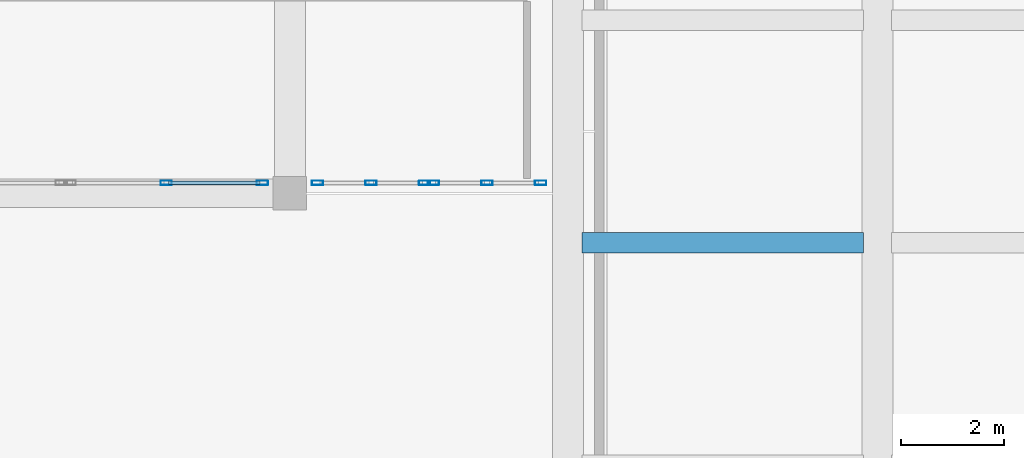
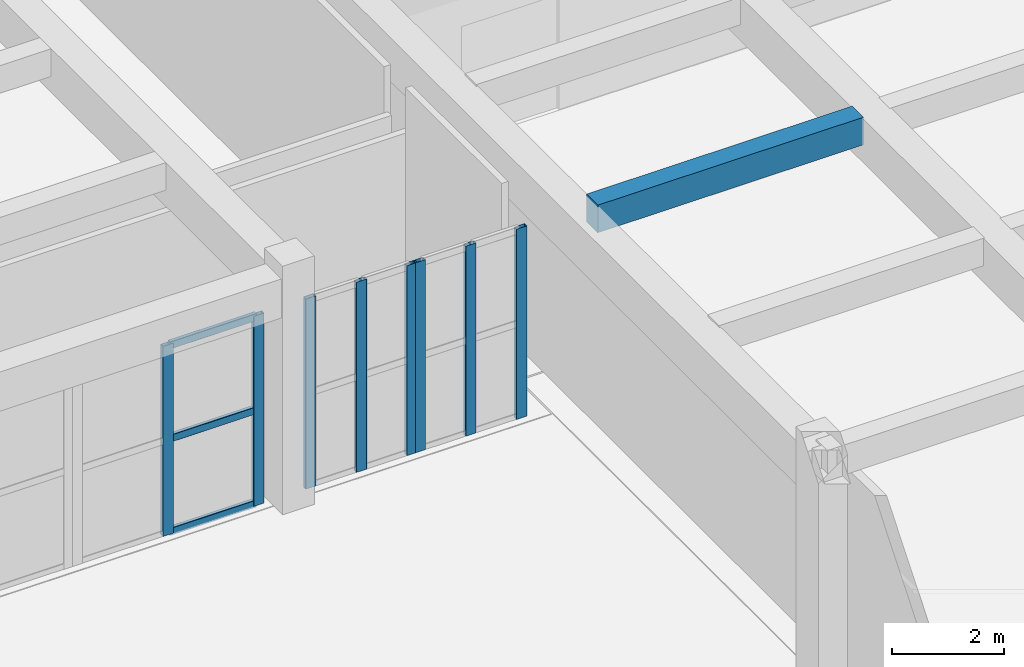
# One storey, part 29 of 98: 11 members, 1 beam, 3 elements without a shape of their own.
"""IFC4 building model written with IfcOpenShell, lengths in metres."""

from ifc_helpers import new_model, si_unit, direction, frame, origin, origin_2d, place, context, subcontext, project, spatial, rectangle, hollow_rectangle, extrude, material, layer, layer_set, material_profile, profile_set, type_object, element, aggregate, save


model = new_model("IFC4")

# Units and contexts
model_context = context("Model", 3, precision=1e-05, world=origin(), true_north=direction((0.0, 1.0)))
body_context = subcontext(model_context, "Body", "Model", "MODEL_VIEW")
ifc_project = project(units=[si_unit("LENGTHUNIT", "METRE"), si_unit("AREAUNIT", "SQUARE_METRE"), si_unit("VOLUMEUNIT", "CUBIC_METRE"), si_unit("PLANEANGLEUNIT", "RADIAN"), si_unit("MASSUNIT", "GRAM", prefix="KILO")], contexts=[model_context])

# Site, building, storey
site_placement = place(None, origin())
site = spatial("IfcSite", under=ifc_project, at=site_placement, CompositionType="ELEMENT")
building_placement = place(site_placement, origin())
building = spatial("IfcBuilding", under=site, at=building_placement, Name="Tarnavel Promenade Courthouse", CompositionType="ELEMENT")
storey_placement = place(building_placement, origin())
storey = spatial("IfcBuildingStorey", under=building, at=storey_placement, Name="L01", CompositionType="ELEMENT", Elevation=0.0)

# Beam
ifc_material_1 = material(Name="Concrete C40/50", Category="concrete")
ifc_material_profile_1 = material_profile(ifc_material_1, rectangle(XDim=0.39990234375, YDim=0.60009765625, at=origin_2d()), Name="PT 400x600")
ifc_profile_set_1 = profile_set([ifc_material_profile_1], Name="Concrete C40/50")
beam_type = type_object("IfcBeamType", Name="Concrete C40/50 BM-PT-400x600 (PT 400x600)", PredefinedType="JOIST", material=ifc_profile_set_1)
beam_placement = place(storey_placement, frame((120.27001953125, 45.840087890625, 4.8349609375), z_axis=(1.0, 0.0, 0.0), x_axis=(0.0, 1.0, 0.0)))
element("IfcBeam", 1, at=beam_placement, inside=storey, type_object=beam_type, Name="L01 Secondary Floor Rib 1019", PredefinedType="JOIST", context=body_context, shape_type="SweptSolid", body=[
    extrude(rectangle(XDim=0.39990234375, YDim=0.60009765625, at=origin_2d()), origin(), (0.0, 0.0, 1.0), 5.4599609375),
])

# Curtain wall, members
ifc_material_2 = material(Name="Thermally Broken Anodised Aluminium Curtain Wall System", Category="aluminium")
ifc_layer = layer(ifc_material_2, 0.239990234375)
ifc_layer_set = layer_set([ifc_layer], Name="Thermally Broken Anodised Aluminium Curtain Wall System")
curtain_wall_type = type_object("IfcCurtainWallType", Name="Thermally Broken Aluminium Triple-Glazed Curtain Wall CW-WG-S", PredefinedType="NOTDEFINED", material=ifc_layer_set)
curtain_wall_1_placement = place(storey_placement, origin())
curtain_wall_1 = element("IfcCurtainWall", 2, at=curtain_wall_1_placement, inside=storey, type_object=curtain_wall_type, Name="L01 Winter-Garden South Solar Curtain Wall 059", PredefinedType="NOTDEFINED")
ifc_material_3 = material(Name="Thermally Broken Anodised Aluminium Frame", Category="aluminium")
ifc_material_profile_2 = material_profile(ifc_material_3, hollow_rectangle(XDim=0.090087890625, YDim=0.219970703125, WallThickness=0.0048828125, InnerFilletRadius=0.0048828125, OuterFilletRadius=0.010009765625, at=origin_2d()), Name="CWM 220x90x5")
ifc_profile_set_2 = profile_set([ifc_material_profile_2], Name="Thermally Broken Anodised Aluminium Frame")
member_type_1 = type_object("IfcMemberType", Name="Thermally Broken Anodised Aluminium CWM-175 (CWM 220x90x5)", PredefinedType="MULLION", material=ifc_profile_set_2)
member_1_placement = place(storey_placement, frame((112.199951171875, 47.0, 0.0), z_axis=(0.0, 0.0, 1.0), x_axis=(0.0, 1.0, 0.0)))
member_1 = element("IfcMember", 3, at=member_1_placement, type_object=member_type_1, Name="CW-02 mullion 2", PredefinedType="MULLION", context=body_context, shape_type="SweptSolid", body=[
    extrude(hollow_rectangle(XDim=0.090087890625, YDim=0.219970703125, WallThickness=0.0048828125, InnerFilletRadius=0.0048828125, OuterFilletRadius=0.010009765625, at=origin_2d()), origin(), (0.0, 0.0, 1.0), 4.1298828125),
])
member_2_placement = place(storey_placement, frame((114.06494140625, 47.0, 0.0), z_axis=(0.0, 0.0, 1.0), x_axis=(0.0, 1.0, 0.0)))
member_2 = element("IfcMember", 4, at=member_2_placement, type_object=member_type_1, Name="CW-02 mullion 3", PredefinedType="MULLION", context=body_context, shape_type="SweptSolid", body=[
    extrude(hollow_rectangle(XDim=0.090087890625, YDim=0.219970703125, WallThickness=0.0048828125, InnerFilletRadius=0.0048828125, OuterFilletRadius=0.010009765625, at=origin_2d()), origin(), (0.0, 0.0, 1.0), 4.1298828125),
])

curtain_wall_2_placement = place(storey_placement, origin())
curtain_wall_2 = element("IfcCurtainWall", 5, at=curtain_wall_2_placement, inside=storey, type_object=curtain_wall_type, Name="L01 Winter-Garden South Solar Curtain Wall 060", PredefinedType="NOTDEFINED")
member_3_placement = place(storey_placement, frame((115.135009765625, 47.0, 0.0), z_axis=(0.0, 0.0, 1.0), x_axis=(0.0, 1.0, 0.0)))
member_3 = element("IfcMember", 6, at=member_3_placement, type_object=member_type_1, Name="CW-02 mullion 1", PredefinedType="MULLION", context=body_context, shape_type="SweptSolid", body=[
    extrude(hollow_rectangle(XDim=0.090087890625, YDim=0.219970703125, WallThickness=0.0048828125, InnerFilletRadius=0.0048828125, OuterFilletRadius=0.010009765625, at=origin_2d()), origin(), (0.0, 0.0, 1.0), 4.1298828125),
])
member_4_placement = place(storey_placement, frame((116.175048828125, 47.0, 0.0), z_axis=(0.0, 0.0, 1.0), x_axis=(0.0, 1.0, 0.0)))
member_4 = element("IfcMember", 7, at=member_4_placement, type_object=member_type_1, Name="CW-02 mullion 2", PredefinedType="MULLION", context=body_context, shape_type="SweptSolid", body=[
    extrude(hollow_rectangle(XDim=0.090087890625, YDim=0.219970703125, WallThickness=0.0048828125, InnerFilletRadius=0.0048828125, OuterFilletRadius=0.010009765625, at=origin_2d()), origin(), (0.0, 0.0, 1.0), 4.1298828125),
])
member_5_placement = place(storey_placement, frame((117.215087890625, 47.0, 0.0), z_axis=(0.0, 0.0, 1.0), x_axis=(0.0, 1.0, 0.0)))
member_5 = element("IfcMember", 8, at=member_5_placement, type_object=member_type_1, Name="CW-02 mullion 3", PredefinedType="MULLION", context=body_context, shape_type="SweptSolid", body=[
    extrude(hollow_rectangle(XDim=0.090087890625, YDim=0.219970703125, WallThickness=0.0048828125, InnerFilletRadius=0.0048828125, OuterFilletRadius=0.010009765625, at=origin_2d()), origin(), (0.0, 0.0, 1.0), 4.1298828125),
])
aggregate(curtain_wall_2, [member_3, member_4, member_5])

curtain_wall_3_placement = place(storey_placement, origin())
curtain_wall_3 = element("IfcCurtainWall", 9, at=curtain_wall_3_placement, inside=storey, type_object=curtain_wall_type, Name="L01 Winter-Garden South Solar Curtain Wall 061", PredefinedType="NOTDEFINED")
member_6_placement = place(storey_placement, frame((117.385009765625, 47.0, 0.0), z_axis=(0.0, 0.0, 1.0), x_axis=(0.0, 1.0, 0.0)))
member_6 = element("IfcMember", 10, at=member_6_placement, type_object=member_type_1, Name="CW-02 mullion 1", PredefinedType="MULLION", context=body_context, shape_type="SweptSolid", body=[
    extrude(hollow_rectangle(XDim=0.090087890625, YDim=0.219970703125, WallThickness=0.0048828125, InnerFilletRadius=0.0048828125, OuterFilletRadius=0.010009765625, at=origin_2d()), origin(), (0.0, 0.0, 1.0), 4.1298828125),
])
member_7_placement = place(storey_placement, frame((118.425048828125, 47.0, 0.0), z_axis=(0.0, 0.0, 1.0), x_axis=(0.0, 1.0, 0.0)))
member_7 = element("IfcMember", 11, at=member_7_placement, type_object=member_type_1, Name="CW-02 mullion 2", PredefinedType="MULLION", context=body_context, shape_type="SweptSolid", body=[
    extrude(hollow_rectangle(XDim=0.090087890625, YDim=0.219970703125, WallThickness=0.0048828125, InnerFilletRadius=0.0048828125, OuterFilletRadius=0.010009765625, at=origin_2d()), origin(), (0.0, 0.0, 1.0), 4.1298828125),
])
member_8_placement = place(storey_placement, frame((119.465087890625, 47.0, 0.0), z_axis=(0.0, 0.0, 1.0), x_axis=(0.0, 1.0, 0.0)))
member_8 = element("IfcMember", 12, at=member_8_placement, type_object=member_type_1, Name="CW-02 mullion 3", PredefinedType="MULLION", context=body_context, shape_type="SweptSolid", body=[
    extrude(hollow_rectangle(XDim=0.090087890625, YDim=0.219970703125, WallThickness=0.0048828125, InnerFilletRadius=0.0048828125, OuterFilletRadius=0.010009765625, at=origin_2d()), origin(), (0.0, 0.0, 1.0), 4.1298828125),
])
aggregate(curtain_wall_3, [member_6, member_7, member_8])

# Member
ifc_material_profile_3 = material_profile(ifc_material_3, hollow_rectangle(XDim=0.080078125, YDim=0.159912109375, WallThickness=0.0048828125, InnerFilletRadius=0.0048828125, OuterFilletRadius=0.010009765625, at=origin_2d()), Name="CWT 160x80x5")
ifc_profile_set_3 = profile_set([ifc_material_profile_3], Name="Thermally Broken Anodised Aluminium Frame")
member_type_2 = type_object("IfcMemberType", Name="Thermally Broken Anodised Aluminium CWT-145 (CWT 160x80x5)", PredefinedType="USERDEFINED", material=ifc_profile_set_3)
member_9_placement = place(storey_placement, frame((112.2451171875, 47.0, 0.0400390625), z_axis=(1.0, 0.0, 0.0), x_axis=(0.0, 1.0, 0.0)))
member_9 = element("IfcMember", 13, at=member_9_placement, type_object=member_type_2, Name="CW-02 transom 2.1", ObjectType="TRANSOM", PredefinedType="USERDEFINED", context=body_context, shape_type="SweptSolid", body=[
    extrude(hollow_rectangle(XDim=0.080078125, YDim=0.159912109375, WallThickness=0.0048828125, InnerFilletRadius=0.0048828125, OuterFilletRadius=0.010009765625, at=origin_2d()), origin(), (0.0, 0.0, 1.0), 1.77490234375),
])

member_10_placement = place(storey_placement, frame((112.2451171875, 47.0, 2.06494140625), z_axis=(1.0, 0.0, 0.0), x_axis=(0.0, 1.0, 0.0)))
member_10 = element("IfcMember", 14, at=member_10_placement, type_object=member_type_2, Name="CW-02 transom 2.2", ObjectType="TRANSOM", PredefinedType="USERDEFINED", context=body_context, shape_type="SweptSolid", body=[
    extrude(hollow_rectangle(XDim=0.080078125, YDim=0.159912109375, WallThickness=0.0048828125, InnerFilletRadius=0.0048828125, OuterFilletRadius=0.010009765625, at=origin_2d()), origin(), (0.0, 0.0, 1.0), 1.77490234375),
])

member_11_placement = place(storey_placement, frame((112.2451171875, 47.0, 4.090087890625), z_axis=(1.0, 0.0, 0.0), x_axis=(0.0, 1.0, 0.0)))
member_11 = element("IfcMember", 15, at=member_11_placement, type_object=member_type_2, Name="CW-02 transom 2.3", ObjectType="TRANSOM", PredefinedType="USERDEFINED", context=body_context, shape_type="SweptSolid", body=[
    extrude(hollow_rectangle(XDim=0.080078125, YDim=0.159912109375, WallThickness=0.0048828125, InnerFilletRadius=0.0048828125, OuterFilletRadius=0.010009765625, at=origin_2d()), origin(), (0.0, 0.0, 1.0), 1.77490234375),
])

aggregate(curtain_wall_1, [member_1, member_2, member_9, member_10, member_11])

save(model, "model.ifc")
